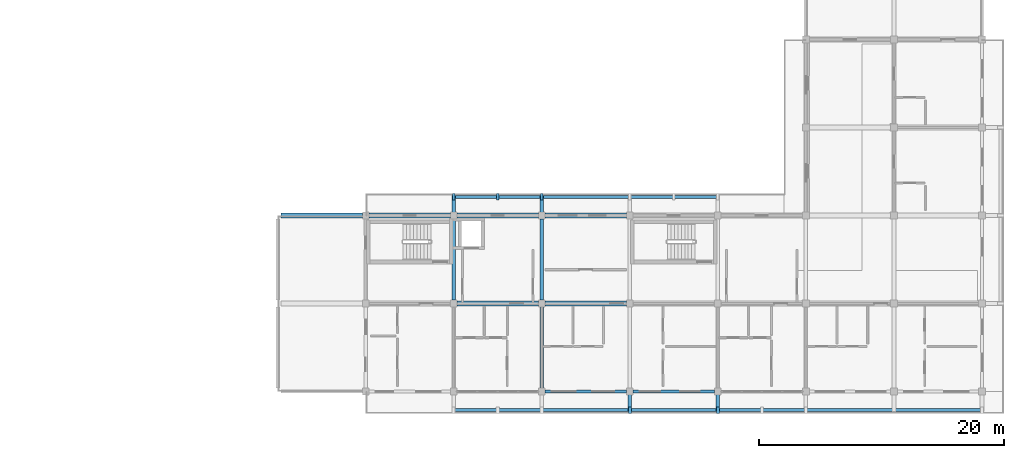
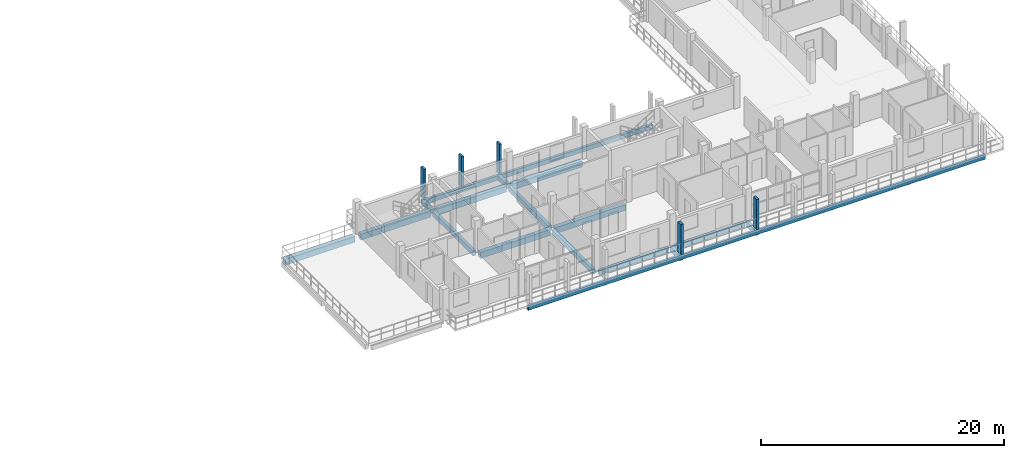
# One storey, part 20 of 65: 17 beams, 5 members.
"""IFC4 building model written with IfcOpenShell, lengths in metres."""

from ifc_helpers import new_model, si_unit, direction, frame, origin, origin_2d, place, context, subcontext, project, spatial, rectangle, extrude, material, material_profile, profile_set, type_object, element, save


model = new_model("IFC4")

# Units and contexts
model_context = context("Model", 3, precision=1e-05, world=origin(), true_north=direction((0.0, 1.0)))
body_context = subcontext(model_context, "Body", "Model", "MODEL_VIEW")
ifc_project = project(units=[si_unit("LENGTHUNIT", "METRE"), si_unit("AREAUNIT", "SQUARE_METRE"), si_unit("VOLUMEUNIT", "CUBIC_METRE"), si_unit("PLANEANGLEUNIT", "RADIAN"), si_unit("MASSUNIT", "GRAM", prefix="KILO")], contexts=[model_context])

# Site, building, storey
site_placement = place(None, origin())
site = spatial("IfcSite", under=ifc_project, at=site_placement, CompositionType="ELEMENT")
building_placement = place(site_placement, origin())
building = spatial("IfcBuilding", under=site, at=building_placement, Name="Suanplinth Sawtooth Commons", CompositionType="ELEMENT")
storey_placement = place(building_placement, frame((0.0, 0.0, 28.300048828125)))
storey = spatial("IfcBuildingStorey", under=building, at=storey_placement, Name="L08", CompositionType="ELEMENT", Elevation=28.300048828125)

# Beams
ifc_material_1 = material(Name="Precast concrete C40/50", Category="concrete")
ifc_material_profile_1 = material_profile(ifc_material_1, rectangle(XDim=0.39990234375, YDim=0.60009765625, at=origin_2d()), Name="PC-GDR 400x600")
ifc_profile_set_1 = profile_set([ifc_material_profile_1], Name="Precast concrete C40/50")
beam_type_1 = type_object("IfcBeamType", Name="B-05", PredefinedType="USERDEFINED", material=ifc_profile_set_1)
beam_1_placement = place(storey_placement, frame((129.875, 14.39990234375, -0.510009765625), z_axis=(1.0, 0.0, 0.0), x_axis=(0.0, 1.0, 0.0)))
element("IfcBeam", 1, at=beam_1_placement, inside=storey, type_object=beam_type_1, Name="BMX-L08-C-18-2", ObjectType="GIRDER", PredefinedType="USERDEFINED", context=body_context, shape_type="SweptSolid", body=[
    extrude(rectangle(XDim=0.39990234375, YDim=0.60009765625, at=origin_2d()), origin(), (0.0, 0.0, 1.0), 6.64990234375),
])
for number, where, z_axis, x_axis, name in (
    (2, (137.074951171875, 14.39990234375, -0.510009765625), (1.0, 0.0, 0.0), (0.0, 1.0, 0.0), "BMX-L08-C-19-2"),
    (3, (144.27490234375, 7.199951171875, -0.510009765625), (1.0, 0.0, 0.0), (0.0, 1.0, 0.0), "BMX-L08-C-20-1"),
    (4, (144.27490234375, 14.39990234375, -0.510009765625), (1.0, 0.0, 0.0), (0.0, 1.0, 0.0), "BMX-L08-C-20-2"),
):
    element("IfcBeam", number, at=place(storey_placement, frame(where, z_axis=z_axis, x_axis=x_axis)), inside=storey, type_object=beam_type_1, Name=name, ObjectType="GIRDER", PredefinedType="USERDEFINED", context=body_context, shape_type="SweptSolid", body=[
        extrude(rectangle(XDim=0.39990234375, YDim=0.60009765625, at=origin_2d()), origin(), (0.0, 0.0, 1.0), 6.650146484375),
    ])
for number, where, z_axis, x_axis, name in (
    (5, (151.47509765625, 7.199951171875, -0.510009765625), (1.0, 0.0, 0.0), (0.0, 1.0, 0.0), "BMX-L08-C-21-1"),
    (6, (151.47509765625, 14.39990234375, -0.510009765625), (1.0, 0.0, 0.0), (0.0, 1.0, 0.0), "BMX-L08-C-21-2"),
):
    element("IfcBeam", number, at=place(storey_placement, frame(where, z_axis=z_axis, x_axis=x_axis)), inside=storey, type_object=beam_type_1, Name=name, ObjectType="GIRDER", PredefinedType="USERDEFINED", context=body_context, shape_type="SweptSolid", body=[
        extrude(rectangle(XDim=0.39990234375, YDim=0.60009765625, at=origin_2d()), origin(), (0.0, 0.0, 1.0), 6.64990234375),
    ])
ifc_material_profile_2 = material_profile(ifc_material_1, rectangle(XDim=0.300048828125, YDim=0.5, at=origin_2d()), Name="PC-BM 300x500")
ifc_profile_set_2 = profile_set([ifc_material_profile_2], Name="Precast concrete C40/50")
beam_type_2 = type_object("IfcBeamType", Name="B-07", PredefinedType="BEAM", material=ifc_profile_set_2)
beam_2_placement = place(storey_placement, frame((144.0, 7.47509765625, -0.4599609375), z_axis=(0.0, 1.0, 0.0), x_axis=(-1.0, 0.0, 0.0)))
element("IfcBeam", 7, at=beam_2_placement, inside=storey, type_object=beam_type_2, Name="BMY-L08-C-20-1", PredefinedType="BEAM", context=body_context, shape_type="SweptSolid", body=[
    extrude(rectangle(XDim=0.300048828125, YDim=0.5, at=origin_2d()), origin(), (0.0, 0.0, 1.0), 6.64990234375),
])
beam_3_placement = place(storey_placement, frame((151.199951171875, 0.27490234375, -0.4599609375), z_axis=(0.0, 1.0, 0.0), x_axis=(-1.0, 0.0, 0.0)))
element("IfcBeam", 8, at=beam_3_placement, inside=storey, type_object=beam_type_2, Name="BMY-L08-C-21-0", PredefinedType="BEAM", context=body_context, shape_type="SweptSolid", body=[
    extrude(rectangle(XDim=0.300048828125, YDim=0.5, at=origin_2d()), origin(), (0.0, 0.0, 1.0), 6.650146484375),
])
beam_4_placement = place(storey_placement, frame((151.199951171875, 7.47509765625, -0.4599609375), z_axis=(0.0, 1.0, 0.0), x_axis=(-1.0, 0.0, 0.0)))
element("IfcBeam", 9, at=beam_4_placement, inside=storey, type_object=beam_type_2, Name="BMY-L08-C-21-1", PredefinedType="BEAM", context=body_context, shape_type="SweptSolid", body=[
    extrude(rectangle(XDim=0.300048828125, YDim=0.5, at=origin_2d()), origin(), (0.0, 0.0, 1.0), 6.64990234375),
])
for number, where, z_axis, x_axis, name in (
    (10, (158.39990234375, 0.0, -0.429931640625), (0.0, -1.0, 0.0), (1.0, 0.0, 0.0), "Balcony Outrigger L08-C-S-22"),
    (11, (165.60009765625, 0.0, -0.429931640625), (0.0, -1.0, 0.0), (1.0, 0.0, 0.0), "Balcony Outrigger L08-C-S-23"),
):
    element("IfcBeam", number, at=place(storey_placement, frame(where, z_axis=z_axis, x_axis=x_axis)), inside=storey, type_object=beam_type_2, Name=name, PredefinedType="BEAM", context=body_context, shape_type="SweptSolid", body=[
        extrude(rectangle(XDim=0.300048828125, YDim=0.5, at=origin_2d()), origin(), (0.0, 0.0, 1.0), 1.639892578125),
    ])
for number, where, z_axis, x_axis, name in (
    (12, (144.0, 14.39990234375, -0.425048828125), (0.0, 1.0, 0.0), (-1.0, 0.0, 0.0), "Balcony Outrigger L08-C-NC-20"),
    (13, (151.199951171875, 14.39990234375, -0.425048828125), (0.0, 1.0, 0.0), (-1.0, 0.0, 0.0), "Balcony Outrigger L08-C-NC-21"),
):
    element("IfcBeam", number, at=place(storey_placement, frame(where, z_axis=z_axis, x_axis=x_axis)), inside=storey, type_object=beam_type_2, Name=name, PredefinedType="BEAM", context=body_context, shape_type="SweptSolid", body=[
        extrude(rectangle(XDim=0.300048828125, YDim=0.5, at=origin_2d()), origin(), (0.0, 0.0, 1.0), 1.64013671875),
    ])
ifc_material_profile_3 = material_profile(ifc_material_1, rectangle(XDim=0.25, YDim=0.449951171875, at=origin_2d()), Name="PC-SP 250x450")
ifc_profile_set_3 = profile_set([ifc_material_profile_3], Name="Precast concrete C40/50")
beam_type_3 = type_object("IfcBeamType", Name="B-09", PredefinedType="SPANDREL", material=ifc_profile_set_3)
for number, where, z_axis, x_axis, name in (
    (14, (151.47509765625, 0.0, -0.43505859375), (1.0, 0.0, 0.0), (0.0, 1.0, 0.0), "BMX-L08-C-21-0"),
    (15, (158.675048828125, 0.0, -0.43505859375), (1.0, 0.0, 0.0), (0.0, 1.0, 0.0), "BMX-L08-C-22-0"),
):
    element("IfcBeam", number, at=place(storey_placement, frame(where, z_axis=z_axis, x_axis=x_axis)), inside=storey, type_object=beam_type_3, Name=name, PredefinedType="SPANDREL", context=body_context, shape_type="SweptSolid", body=[
        extrude(rectangle(XDim=0.25, YDim=0.449951171875, at=origin_2d()), origin(), (0.0, 0.0, 1.0), 6.64990234375),
    ])
beam_5_placement = place(storey_placement, frame((143.85009765625, -1.52001953125, -0.405029296875), z_axis=(1.0, 0.0, 0.0), x_axis=(0.0, 1.0, 0.0)))
element("IfcBeam", 16, at=beam_5_placement, inside=storey, type_object=beam_type_3, Name="Balcony Edge Fascia L08-C-S", PredefinedType="SPANDREL", context=body_context, shape_type="SweptSolid", body=[
    extrude(rectangle(XDim=0.25, YDim=0.449951171875, at=origin_2d()), origin(), (0.0, 0.0, 1.0), 43.5),
])
beam_6_placement = place(storey_placement, frame((143.85009765625, 15.919921875, -0.400146484375), z_axis=(1.0, 0.0, 0.0), x_axis=(0.0, 1.0, 0.0)))
element("IfcBeam", 17, at=beam_6_placement, inside=storey, type_object=beam_type_3, Name="Balcony Edge Fascia L08-C-NC", PredefinedType="SPANDREL", context=body_context, shape_type="SweptSolid", body=[
    extrude(rectangle(XDim=0.25, YDim=0.449951171875, at=origin_2d()), origin(), (0.0, 0.0, 1.0), 21.89990234375),
])

# Members
ifc_material_2 = material(Name="Pigmented precast concrete C40/50", Category="concrete")
ifc_material_profile_4 = material_profile(ifc_material_2, rectangle(XDim=0.25, YDim=0.5400390625, at=origin_2d()), Name="PC-FIN 250x540")
ifc_profile_set_4 = profile_set([ifc_material_profile_4], Name="Pigmented precast concrete C40/50")
member_type_1 = type_object("IfcMemberType", Name="M-11", PredefinedType="USERDEFINED", material=ifc_profile_set_4)
for number, where, z_axis, x_axis, name in (
    (18, (158.39990234375, -1.52001953125, 0.0), (0.0, 0.0, 1.0), (1.0, 0.0, 0.0), "Upright Solar Blade L08-C-S-04"),
    (19, (165.60009765625, -1.52001953125, 0.0), (0.0, 0.0, 1.0), (1.0, 0.0, 0.0), "Upright Solar Blade L08-C-S-05"),
):
    element("IfcMember", number, at=place(storey_placement, frame(where, z_axis=z_axis, x_axis=x_axis)), inside=storey, type_object=member_type_1, Name=name, ObjectType="SHADING FIN", PredefinedType="USERDEFINED", context=body_context, shape_type="SweptSolid", body=[
        extrude(rectangle(XDim=0.25, YDim=0.5400390625, at=origin_2d()), origin(), (0.0, 0.0, 1.0), 3.030029296875),
    ])
ifc_material_profile_5 = material_profile(ifc_material_2, rectangle(XDim=0.2099609375, YDim=0.52001953125, at=origin_2d()), Name="PC-FIN 210x520")
ifc_profile_set_5 = profile_set([ifc_material_profile_5], Name="Pigmented precast concrete C40/50")
member_type_2 = type_object("IfcMemberType", Name="M-12", PredefinedType="USERDEFINED", material=ifc_profile_set_5)
for number, where, z_axis, x_axis, name in (
    (20, (144.0, 15.919921875, 0.0), (0.0, 0.0, 1.0), (1.0, 0.0, 0.0), "Upright Solar Blade L08-C-NC-12"),
    (21, (147.60009765625, 15.919921875, 0.0), (0.0, 0.0, 1.0), (1.0, 0.0, 0.0), "Upright Solar Blade L08-C-NC-13"),
    (22, (151.199951171875, 15.919921875, 0.0), (0.0, 0.0, 1.0), (1.0, 0.0, 0.0), "Upright Solar Blade L08-C-NC-14"),
):
    element("IfcMember", number, at=place(storey_placement, frame(where, z_axis=z_axis, x_axis=x_axis)), inside=storey, type_object=member_type_2, Name=name, ObjectType="SHADING FIN", PredefinedType="USERDEFINED", context=body_context, shape_type="SweptSolid", body=[
        extrude(rectangle(XDim=0.2099609375, YDim=0.52001953125, at=origin_2d()), origin(), (0.0, 0.0, 1.0), 3.030029296875),
    ])

save(model, "model.ifc")
